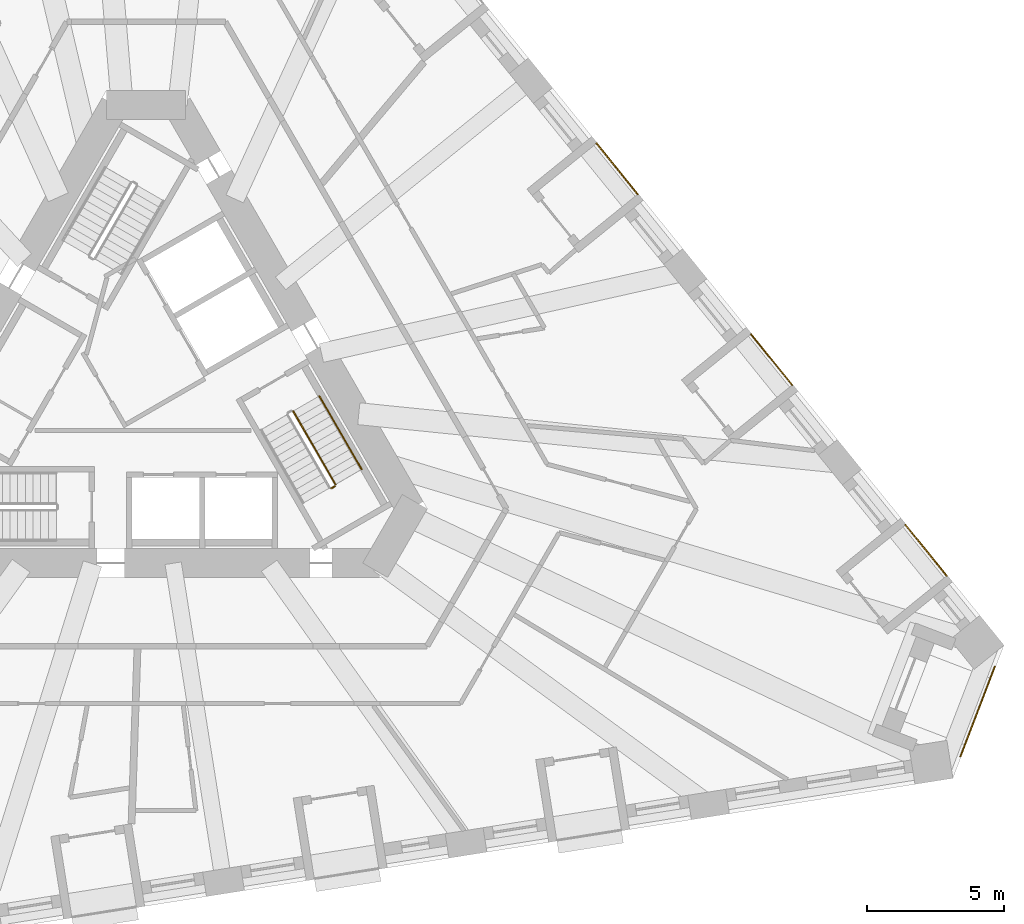
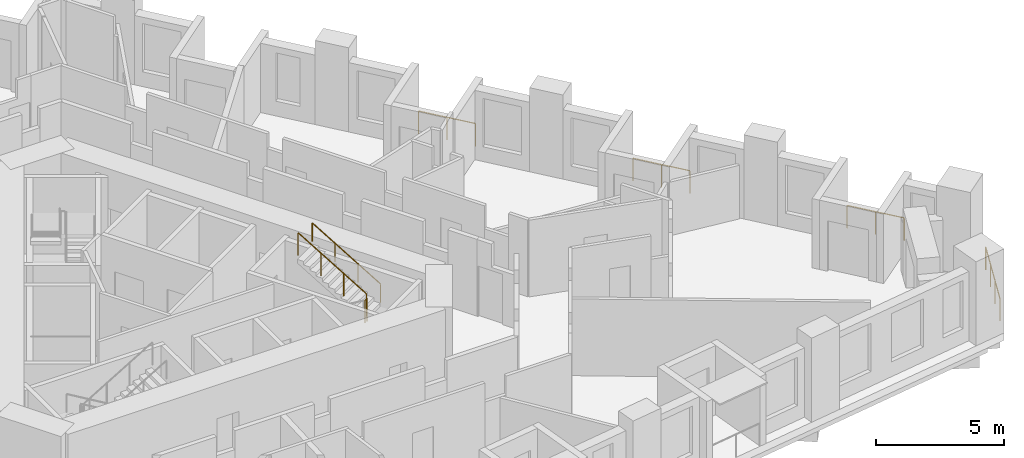
# One storey, part 13 of 14: 7 railings.
"""IFC4 building model written with IfcOpenShell, lengths in metres."""

from ifc_helpers import new_model, si_unit, direction, frame, origin, origin_2d, place, context, subcontext, project, spatial, circle, extrude, material, type_object, element, save


model = new_model("IFC4")

# Units and contexts
model_context = context("Model", 3, precision=1e-05, world=origin(), true_north=direction((0.0, 1.0)))
body_context = subcontext(model_context, "Body", "Model", "MODEL_VIEW")
ifc_project = project(units=[si_unit("LENGTHUNIT", "METRE"), si_unit("AREAUNIT", "SQUARE_METRE"), si_unit("VOLUMEUNIT", "CUBIC_METRE"), si_unit("PLANEANGLEUNIT", "RADIAN"), si_unit("MASSUNIT", "GRAM", prefix="KILO")], contexts=[model_context])

# Site, building, storey
site_placement = place(None, origin())
site = spatial("IfcSite", under=ifc_project, at=site_placement, CompositionType="ELEMENT")
building_placement = place(site_placement, origin())
building = spatial("IfcBuilding", under=site, at=building_placement, Name="Tramontana Tower", CompositionType="ELEMENT")
storey_placement = place(building_placement, frame((0.0, 0.0, 67.199951171875)))
storey = spatial("IfcBuildingStorey", under=building, at=storey_placement, Name="L14", CompositionType="ELEMENT", Elevation=67.199951171875)

# Railings
ifc_material_1 = material(Name="Laminated glass balustrade", Category="glass")
railing_type_1 = type_object("IfcRailingType", Name="GD1 Loggia glass balustrade 1100", PredefinedType="BALUSTRADE", material=ifc_material_1)
railing_1_placement = place(storey_placement, frame((29.18310546875, -6.68896484375, 0.0)))
element("IfcRailing", 1, at=railing_1_placement, inside=storey, type_object=railing_type_1, Name="Loggia balustrade L14 G1S2.1", PredefinedType="BALUSTRADE", context=body_context, shape_type="SweptSolid", body=[
    extrude(circle(Radius=0.02392578125, at=origin_2d()), frame((0.0, 0.0, 1.076171875), z_axis=(-0.629369155682, 0.777106470103, 0.0), x_axis=(-0.777106470103, -0.629369155682, 0.0)), (0.0, 0.0, 1.0), 2.383056640625),
    extrude(circle(Radius=0.02099609375, at=origin_2d()), origin(), (0.0, 0.0, 1.0), 1.052001953125),
    extrude(circle(Radius=0.02099609375, at=origin_2d()), frame((-0.75, 0.92578125, 0.0)), (0.0, 0.0, 1.0), 1.052001953125),
    extrude(circle(Radius=0.02099609375, at=origin_2d()), frame((-1.499755859375, 1.851806640625, 0.0)), (0.0, 0.0, 1.0), 1.052001953125),
])
railing_2_placement = place(storey_placement, frame((23.55126953125, 0.265625, 0.0)))
element("IfcRailing", 2, at=railing_2_placement, inside=storey, type_object=railing_type_1, Name="Loggia balustrade L14 G1S2.4", PredefinedType="BALUSTRADE", context=body_context, shape_type="SweptSolid", body=[
    extrude(circle(Radius=0.02392578125, at=origin_2d()), frame((0.0, 0.0, 1.076171875), z_axis=(-0.629257171563, 0.777197151331, 0.0), x_axis=(-0.777197151331, -0.629257171563, 0.0)), (0.0, 0.0, 1.0), 2.383056640625),
    extrude(circle(Radius=0.02099609375, at=origin_2d()), origin(), (0.0, 0.0, 1.0), 1.052001953125),
    extrude(circle(Radius=0.02099609375, at=origin_2d()), frame((-0.749755859375, 0.926025390625, 0.0)), (0.0, 0.0, 1.0), 1.052001953125),
    extrude(circle(Radius=0.02099609375, at=origin_2d()), frame((-1.49951171875, 1.85205078125, 0.0)), (0.0, 0.0, 1.0), 1.052001953125),
])
railing_3_placement = place(storey_placement, frame((17.919677734375, 7.22021484375, 0.0)))
element("IfcRailing", 3, at=railing_3_placement, inside=storey, type_object=railing_type_1, Name="Loggia balustrade L14 G1S2.7", PredefinedType="BALUSTRADE", context=body_context, shape_type="SweptSolid", body=[
    extrude(circle(Radius=0.02392578125, at=origin_2d()), frame((0.0, 0.0, 1.076171875), z_axis=(-0.629319049918, 0.777147047482, 0.0), x_axis=(-0.777147047482, -0.629319049918, 0.0)), (0.0, 0.0, 1.0), 2.383056640625),
    extrude(circle(Radius=0.02099609375, at=origin_2d()), origin(), (0.0, 0.0, 1.0), 1.052001953125),
    extrude(circle(Radius=0.02099609375, at=origin_2d()), frame((-0.75, 0.926025390625, 0.0)), (0.0, 0.0, 1.0), 1.052001953125),
    extrude(circle(Radius=0.02099609375, at=origin_2d()), frame((-1.499755859375, 1.85205078125, 0.0)), (0.0, 0.0, 1.0), 1.052001953125),
])
railing_4_placement = place(storey_placement, frame((30.9404296875, -10.00244140625, 0.0)))
element("IfcRailing", 4, at=railing_4_placement, inside=storey, type_object=railing_type_1, Name="Corner loggia balustrade L14 K12", PredefinedType="BALUSTRADE", context=body_context, shape_type="SweptSolid", body=[
    extrude(circle(Radius=0.02392578125, at=origin_2d()), frame((0.0, 0.0, 1.076171875), z_axis=(-0.358329267986, -0.933595274037, 0.0), x_axis=(0.933595274037, -0.358329267986, 0.0)), (0.0, 0.0, 1.0), 3.5),
    extrude(circle(Radius=0.02099609375, at=origin_2d()), origin(), (0.0, 0.0, 1.0), 1.052001953125),
    extrude(circle(Radius=0.02099609375, at=origin_2d()), frame((-0.41796875, -1.089111328125, 0.0)), (0.0, 0.0, 1.0), 1.052001953125),
    extrude(circle(Radius=0.02099609375, at=origin_2d()), frame((-0.836181640625, -2.178466796875, 0.0)), (0.0, 0.0, 1.0), 1.052001953125),
    extrude(circle(Radius=0.02099609375, at=origin_2d()), frame((-1.254150390625, -3.267578125, 0.0)), (0.0, 0.0, 1.0), 1.052001953125),
])
ifc_material_2 = material(Name="Painted steel", Category="steel")
railing_type_2 = type_object("IfcRailingType", Name="STAIR GUARD 1100", PredefinedType="GUARDRAIL", material=ifc_material_2)
railing_5_placement = place(storey_placement, frame((6.90380859375, -3.35791015625, 2.166748046875)))
element("IfcRailing", 5, at=railing_5_placement, inside=storey, type_object=railing_type_2, Name="L14 ST3 stair guard 2", PredefinedType="GUARDRAIL", context=body_context, shape_type="SweptSolid", body=[
    extrude(circle(Radius=0.02392578125, at=origin_2d()), frame((0.0, 0.0, 1.076171875), z_axis=(-0.429615651263, 0.74418122563, 0.511492615401), x_axis=(-0.866044340336, -0.499967199496, 0.0)), (0.0, 0.0, 1.0), 3.584228515625),
    extrude(circle(Radius=0.02099609375, at=origin_2d()), origin(), (0.0, 0.0, 1.0), 1.052001953125),
    extrude(circle(Radius=0.02099609375, at=origin_2d()), frame((-0.51318359375, 0.88916015625, 0.611083984375)), (0.0, 0.0, 1.0), 1.052001953125),
    extrude(circle(Radius=0.02099609375, at=origin_2d()), frame((-1.026611328125, 1.778076171875, 1.22216796875)), (0.0, 0.0, 1.0), 1.052001953125),
    extrude(circle(Radius=0.02099609375, at=origin_2d()), frame((-1.539794921875, 2.667236328125, 1.833251953125)), (0.0, 0.0, 1.0), 1.052001953125),
])
railing_6_placement = place(storey_placement, frame((6.755615234375, -3.501220703125, 2.0)))
element("IfcRailing", 6, at=railing_6_placement, inside=storey, type_object=railing_type_2, Name="L14 ST3 stair guard 3", PredefinedType="GUARDRAIL", context=body_context, shape_type="SweptSolid", body=[
    extrude(circle(Radius=0.02392578125, at=origin_2d()), frame((0.0, 0.0, 1.076171875), z_axis=(0.866131372301, 0.499816412211, 0.0), x_axis=(-0.499816412211, 0.866131372301, 0.0)), (0.0, 0.0, 1.0), 0.14990234375),
    extrude(circle(Radius=0.02099609375, at=origin_2d()), origin(), (0.0, 0.0, 1.0), 1.052001953125),
    extrude(circle(Radius=0.02099609375, at=origin_2d()), frame((0.1298828125, 0.074951171875, 0.0)), (0.0, 0.0, 1.0), 1.052001953125),
])
ifc_material_3 = material(Name="Painted steel", Category="steel")
railing_type_3 = type_object("IfcRailingType", Name="STAIR HANDRAIL 900", PredefinedType="HANDRAIL", material=ifc_material_3)
railing_7_placement = place(storey_placement, frame((7.8564453125, -2.807861328125, 2.166748046875)))
element("IfcRailing", 7, at=railing_7_placement, inside=storey, type_object=railing_type_3, Name="L14 ST3 stair handrail 2", PredefinedType="HANDRAIL", context=body_context, shape_type="SweptSolid", body=[
    extrude(circle(Radius=0.02392578125, at=origin_2d()), frame((0.0, 0.0, 0.8759765625), z_axis=(-0.429615651263, 0.74418122563, 0.511492615401), x_axis=(-0.866044340336, -0.499967199496, 0.0)), (0.0, 0.0, 1.0), 3.584228515625),
    extrude(circle(Radius=0.02099609375, at=origin_2d()), origin(), (0.0, 0.0, 1.0), 0.851806640625),
    extrude(circle(Radius=0.02099609375, at=origin_2d()), frame((-0.51318359375, 0.88916015625, 0.611083984375)), (0.0, 0.0, 1.0), 0.851806640625),
    extrude(circle(Radius=0.02099609375, at=origin_2d()), frame((-1.026611328125, 1.778076171875, 1.22216796875)), (0.0, 0.0, 1.0), 0.851806640625),
    extrude(circle(Radius=0.02099609375, at=origin_2d()), frame((-1.539794921875, 2.667236328125, 1.833251953125)), (0.0, 0.0, 1.0), 0.851806640625),
])

save(model, "model.ifc")
